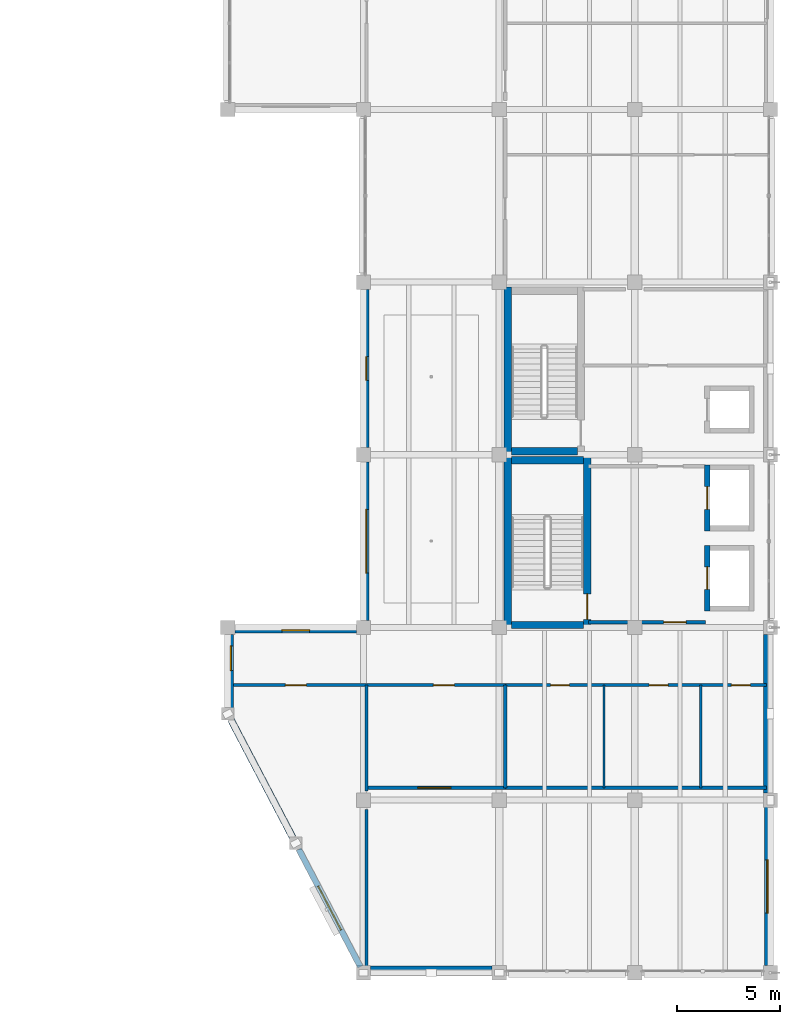
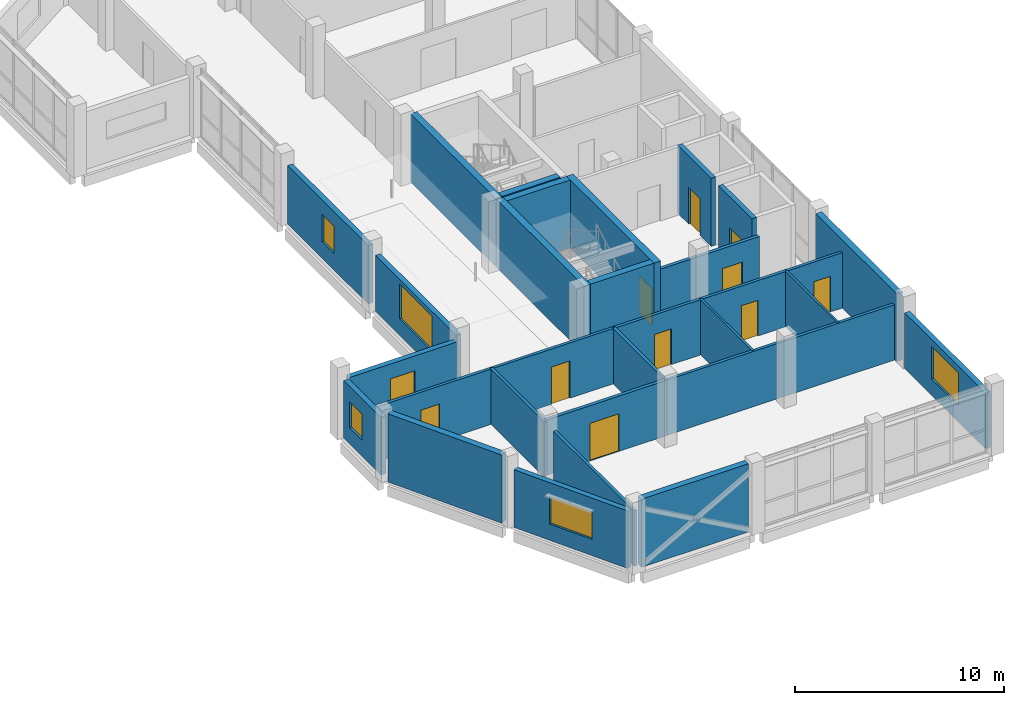
# One storey, part 38 of 47: 27 walls, 10 doors, 6 windows, 16 openings.
"""IFC4 building model written with IfcOpenShell, lengths in metres."""

from ifc_helpers import new_model, si_unit, direction, frame, frame_2d, origin, place, context, subcontext, project, spatial, rectangle, extrude, material, layer, layer_set, type_object, element, fill, save


model = new_model("IFC4")

# Units and contexts
model_context = context("Model", 3, precision=1e-05, world=origin(), true_north=direction((0.0, 1.0)))
body_context = subcontext(model_context, "Body", "Model", "MODEL_VIEW")
ifc_project = project(units=[si_unit("LENGTHUNIT", "METRE"), si_unit("AREAUNIT", "SQUARE_METRE"), si_unit("VOLUMEUNIT", "CUBIC_METRE"), si_unit("PLANEANGLEUNIT", "RADIAN"), si_unit("MASSUNIT", "GRAM", prefix="KILO")], contexts=[model_context])

# Site, building, storey
site_placement = place(None, origin())
site = spatial("IfcSite", under=ifc_project, at=site_placement, CompositionType="ELEMENT")
building_placement = place(site_placement, origin())
building = spatial("IfcBuilding", under=site, at=building_placement, Name="Qaldarim Faculty of Natural and Applied Sciences", CompositionType="ELEMENT")
storey_placement = place(building_placement, frame((0.0, 0.0, 22.800048828125)))
storey = spatial("IfcBuildingStorey", under=building, at=storey_placement, Name="L05", CompositionType="ELEMENT", Elevation=22.800048828125)

# Walls
ifc_material_1 = material(Name="Painted gypsum partition board")
ifc_layer_1 = layer(ifc_material_1, 0.1201171875)
ifc_layer_set_1 = layer_set([ifc_layer_1], Name="Painted gypsum partition board")
wall_type_1 = type_object("IfcWallType", Name="AcousticPartition-120", PredefinedType="PARTITIONING", material=ifc_layer_set_1)
for number, where, z_axis, x_axis, name in (
    (1, (170.10009765625, 9.0, 0.0), (0.0, 0.0, 1.0), (0.0, 1.0, 0.0), "Interior partition PRT-L05-V5-WCD1"),
    (2, (174.800048828125, 9.0, 0.0), (0.0, 0.0, 1.0), (0.0, 1.0, 0.0), "Interior partition PRT-L05-V5-WCD2"),
):
    element("IfcWall", number, at=place(storey_placement, frame(where, z_axis=z_axis, x_axis=x_axis)), inside=storey, type_object=wall_type_1, Name=name, PredefinedType="PARTITIONING", context=body_context, shape_type="SweptSolid", body=[
        extrude(rectangle(XDim=5.0, YDim=0.1201171875, at=frame_2d((2.5, 0.0))), origin(), (0.0, 0.0, 1.0), 3.22998046875),
    ])
ifc_material_2 = material(Name="Concrete C50/60", Category="concrete")
ifc_layer_2 = layer(ifc_material_2, 0.360107421875)
ifc_layer_set_2 = layer_set([ifc_layer_2], Name="Concrete C50/60")
wall_type_2 = type_object("IfcWallType", Name="CoreShearWall-360", PredefinedType="SHEAR", material=ifc_layer_set_2)
wall_1_placement = place(storey_placement, frame((165.419921875, 16.739990234375, 0.0), z_axis=(0.0, 0.0, 1.0), x_axis=(0.0, 1.0, 0.0)))
element("IfcWall", 3, at=wall_1_placement, inside=storey, type_object=wall_type_2, Name="Core stair ST-A1 west shear wall L05", PredefinedType="SHEAR", context=body_context, shape_type="SweptSolid", body=[
    extrude(rectangle(XDim=8.3701171875, YDim=0.360107421875, at=frame_2d((4.18505859375, 0.0))), origin(), (0.0, 0.0, 1.0), 3.97998046875),
])

# Wall, opening, door
wall_2_placement = place(storey_placement, frame((169.280029296875, 16.739990234375, 0.0), z_axis=(0.0, 0.0, 1.0), x_axis=(0.0, 1.0, 0.0)))
wall_2 = element("IfcWall", 4, at=wall_2_placement, inside=storey, type_object=wall_type_2, Name="Core stair ST-A1 east shear wall L05", PredefinedType="SHEAR", context=body_context, shape_type="SweptSolid", body=[
    extrude(rectangle(XDim=8.3701171875, YDim=0.360107421875, at=frame_2d((4.18505859375, 0.0))), origin(), (0.0, 0.0, 1.0), 3.97998046875),
])
opening_1_placement = place(wall_2_placement, frame((0.449951171875, 0.0, 0.0)))
opening_1 = element("IfcOpeningElement", 5, at=opening_1_placement, cuts=wall_2, Name="Opening ID04", PredefinedType="OPENING", context=body_context, shape_type="SweptSolid", body=[
    extrude(rectangle(XDim=1.25, YDim=2.14990234375, at=frame_2d((0.625, 1.074951171875))), frame((0.0, 0.18994140625, 0.0), z_axis=(0.0, -1.0, 0.0), x_axis=(1.0, 0.0, 0.0)), (0.0, 0.0, 1.0), 0.380126953125),
])
ifc_material_3 = material(Name="Architectural stainless steel 316", Category="steel")
door_type_1 = type_object("IfcDoorType", Name="StairEnclosureFireDoor-1250x2150", OperationType="NOTDEFINED", PredefinedType="DOOR", material=ifc_material_3)
door_1_placement = place(opening_1_placement, origin())
door_1 = element("IfcDoor", 6, at=door_1_placement, inside=storey, type_object=door_type_1, Name="Protected stair ST-A1 fire door D-L05-507", OperationType="SINGLE_SWING_LEFT", OverallHeight=2.14990234375, OverallWidth=1.25, PredefinedType="DOOR", context=body_context, shape_type="SweptSolid", body=[
    extrude(rectangle(XDim=1.25, YDim=2.14990234375, at=frame_2d((0.625, 1.074951171875))), frame((0.0, 0.02490234375, 0.0), z_axis=(0.0, -1.0, 0.0), x_axis=(1.0, 0.0, 0.0)), (0.0, 0.0, 1.0), 0.050048828125),
])
fill(opening_1, door_1)

# Walls
for number, where, z_axis, x_axis, name in (
    (7, (165.60009765625, 24.929931640625, 0.0), (0.0, 0.0, 1.0), (1.0, 0.0, 0.0), "Core stair ST-A1 north shear wall L05"),
    (8, (165.60009765625, 16.919921875, 0.0), (0.0, 0.0, 1.0), (1.0, 0.0, 0.0), "Core stair ST-A1 south shear wall L05"),
):
    element("IfcWall", number, at=place(storey_placement, frame(where, z_axis=z_axis, x_axis=x_axis)), inside=storey, type_object=wall_type_2, Name=name, PredefinedType="SHEAR", context=body_context, shape_type="SweptSolid", body=[
        extrude(rectangle(XDim=3.5, YDim=0.360107421875, at=frame_2d((1.75, 0.0))), origin(), (0.0, 0.0, 1.0), 3.97998046875),
    ])
wall_3_placement = place(storey_placement, frame((165.419921875, 25.18994140625, 0.0), z_axis=(0.0, 0.0, 1.0), x_axis=(0.0, 1.0, 0.0)))
element("IfcWall", 9, at=wall_3_placement, inside=storey, type_object=wall_type_2, Name="Core stair ST-A2 west shear wall L05", PredefinedType="SHEAR", context=body_context, shape_type="SweptSolid", body=[
    extrude(rectangle(XDim=8.170166015625, YDim=0.360107421875, at=frame_2d((4.0849609375, 0.0))), origin(), (0.0, 0.0, 1.0), 3.97998046875),
])
wall_4_placement = place(storey_placement, frame((165.60009765625, 25.3701171875, 0.0), z_axis=(0.0, 0.0, 1.0), x_axis=(1.0, 0.0, 0.0)))
element("IfcWall", 10, at=wall_4_placement, inside=storey, type_object=wall_type_2, Name="Core stair ST-A2 south shear wall L05", PredefinedType="SHEAR", context=body_context, shape_type="SweptSolid", body=[
    extrude(rectangle(XDim=3.199951171875, YDim=0.360107421875, at=frame_2d((1.60009765625, 0.0))), origin(), (0.0, 0.0, 1.0), 3.97998046875),
])

# Wall, opening, window
ifc_material_4 = material(Name="Precast concrete C40/50", Category="concrete")
ifc_layer_3 = layer(ifc_material_4, 0.280029296875)
ifc_layer_set_3 = layer_set([ifc_layer_3], Name="Precast concrete C40/50")
wall_type_3 = type_object("IfcWallType", Name="ExteriorSpandrelWall-280", PredefinedType="SOLIDWALL", material=ifc_layer_set_3)
wall_5_placement = place(storey_placement, frame((158.054931640625, 16.659912109375, 0.0), z_axis=(0.0, 0.0, 1.0), x_axis=(-1.0, 0.0, 0.0)))
wall_5 = element("IfcWall", 11, at=wall_5_placement, inside=storey, type_object=wall_type_3, Name="Exterior wall EW02 L05 N X24Y02", PredefinedType="SOLIDWALL", context=body_context, shape_type="SweptSolid", body=[
    extrude(rectangle(XDim=5.909912109375, YDim=0.280029296875, at=frame_2d((2.955078125, 0.0))), origin(), (0.0, 0.0, 1.0), 3.364990234375),
])
opening_2_placement = place(wall_5_placement, frame((2.280029296875, 0.0, 0.949951171875)))
opening_2 = element("IfcOpeningElement", 12, at=opening_2_placement, cuts=wall_5, Name="Opening WN09", PredefinedType="OPENING", context=body_context, shape_type="SweptSolid", body=[
    extrude(rectangle(XDim=1.35009765625, YDim=1.550048828125, at=frame_2d((0.675048828125, 0.77490234375))), frame((0.0, 0.14990234375, 0.0), z_axis=(0.0, -1.0, 0.0), x_axis=(1.0, 0.0, 0.0)), (0.0, 0.0, 1.0), 0.300048828125),
])
ifc_material_5 = material(Name="Insulated low-e double glazing", Category="glass")
window_type_1 = type_object("IfcWindowType", Name="LabWindow-1350x1550", PartitioningType="SINGLE_PANEL", PredefinedType="WINDOW", material=ifc_material_5)
window_1_placement = place(opening_2_placement, origin())
window_1 = element("IfcWindow", 13, at=window_1_placement, inside=storey, type_object=window_type_1, Name="Facade window WN09 L05 N X24Y02", OverallHeight=1.550048828125, OverallWidth=1.35009765625, PartitioningType="SINGLE_PANEL", PredefinedType="WINDOW", context=body_context, shape_type="SweptSolid", body=[
    extrude(rectangle(XDim=1.35009765625, YDim=1.550048828125, at=frame_2d((0.675048828125, 0.77490234375))), frame((0.0, 0.030029296875, 0.0), z_axis=(0.0, -1.0, 0.0), x_axis=(1.0, 0.0, 0.0)), (0.0, 0.0, 1.0), 0.06005859375),
])
fill(opening_2, window_1)

wall_6_placement = place(storey_placement, frame((158.5400390625, 24.85498046875, 0.0), z_axis=(0.0, 0.0, 1.0), x_axis=(0.0, -1.0, 0.0)))
wall_6 = element("IfcWall", 14, at=wall_6_placement, inside=storey, type_object=wall_type_3, Name="Exterior wall EW02 L05 W X25Y03", PredefinedType="SOLIDWALL", context=body_context, shape_type="SweptSolid", body=[
    extrude(rectangle(XDim=7.7099609375, YDim=0.280029296875, at=frame_2d((3.85498046875, 0.0))), origin(), (0.0, 0.0, 1.0), 3.264892578125),
])
opening_3_placement = place(wall_6_placement, frame((2.304931640625, 0.0, 0.949951171875)))
opening_3 = element("IfcOpeningElement", 15, at=opening_3_placement, cuts=wall_6, Name="Opening WN30", PredefinedType="OPENING", context=body_context, shape_type="SweptSolid", body=[
    extrude(rectangle(XDim=3.10009765625, YDim=2.050048828125, at=frame_2d((1.550048828125, 1.02490234375))), frame((0.0, 0.14990234375, 0.0), z_axis=(0.0, -1.0, 0.0), x_axis=(1.0, 0.0, 0.0)), (0.0, 0.0, 1.0), 0.300048828125),
])
window_type_2 = type_object("IfcWindowType", Name="GalleryWindow-3100x2050", PartitioningType="TRIPLE_PANEL_VERTICAL", PredefinedType="WINDOW", material=ifc_material_5)
window_2_placement = place(opening_3_placement, origin())
window_2 = element("IfcWindow", 16, at=window_2_placement, inside=storey, type_object=window_type_2, Name="Facade window WN30 L05 W X25Y03", OverallHeight=2.050048828125, OverallWidth=3.10009765625, PartitioningType="SINGLE_PANEL", PredefinedType="WINDOW", context=body_context, shape_type="SweptSolid", body=[
    extrude(rectangle(XDim=3.10009765625, YDim=2.050048828125, at=frame_2d((1.550048828125, 1.02490234375))), frame((0.0, 0.030029296875, 0.0), z_axis=(0.0, -1.0, 0.0), x_axis=(1.0, 0.0, 0.0)), (0.0, 0.0, 1.0), 0.06005859375),
])
fill(opening_3, window_2)

wall_7_placement = place(storey_placement, frame((158.5400390625, 33.2548828125, 0.0), z_axis=(0.0, 0.0, 1.0), x_axis=(0.0, -1.0, 0.0)))
wall_7 = element("IfcWall", 17, at=wall_7_placement, inside=storey, type_object=wall_type_3, Name="Exterior wall EW02 L05 W X25Y04", PredefinedType="SOLIDWALL", context=body_context, shape_type="SweptSolid", body=[
    extrude(rectangle(XDim=7.7099609375, YDim=0.280029296875, at=frame_2d((3.85498046875, 0.0))), origin(), (0.0, 0.0, 1.0), 3.4150390625),
])
opening_4_placement = place(wall_7_placement, frame((3.280029296875, 0.0, 0.949951171875)))
opening_4 = element("IfcOpeningElement", 18, at=opening_4_placement, cuts=wall_7, Name="Opening WN31", PredefinedType="OPENING", context=body_context, shape_type="SweptSolid", body=[
    extrude(rectangle(XDim=1.14990234375, YDim=1.60009765625, at=frame_2d((0.574951171875, 0.800048828125))), frame((0.0, 0.14990234375, 0.0), z_axis=(0.0, -1.0, 0.0), x_axis=(1.0, 0.0, 0.0)), (0.0, 0.0, 1.0), 0.300048828125),
])
window_type_3 = type_object("IfcWindowType", Name="SeminarWindow-1150x1600", PartitioningType="SINGLE_PANEL", PredefinedType="WINDOW", material=ifc_material_5)
window_3_placement = place(opening_4_placement, origin())
window_3 = element("IfcWindow", 19, at=window_3_placement, inside=storey, type_object=window_type_3, Name="Facade window WN31 L05 W X25Y04", OverallHeight=1.60009765625, OverallWidth=1.14990234375, PartitioningType="SINGLE_PANEL", PredefinedType="WINDOW", context=body_context, shape_type="SweptSolid", body=[
    extrude(rectangle(XDim=1.14990234375, YDim=1.60009765625, at=frame_2d((0.574951171875, 0.800048828125))), frame((0.0, 0.030029296875, 0.0), z_axis=(0.0, -1.0, 0.0), x_axis=(1.0, 0.0, 0.0)), (0.0, 0.0, 1.0), 0.06005859375),
])
fill(opening_4, window_3)

wall_8_placement = place(storey_placement, frame((178.06005859375, 0.344970703125, 0.0), z_axis=(0.0, 0.0, 1.0), x_axis=(0.0, 1.0, 0.0)))
wall_8 = element("IfcWall", 20, at=wall_8_placement, inside=storey, type_object=wall_type_3, Name="Exterior wall EW02 L05 E X27Y01", PredefinedType="SOLIDWALL", context=body_context, shape_type="SweptSolid", body=[
    extrude(rectangle(XDim=7.7099609375, YDim=0.280029296875, at=frame_2d((3.85498046875, 0.0))), origin(), (0.0, 0.0, 1.0), 3.264892578125),
])
opening_5_placement = place(wall_8_placement, frame((2.554931640625, 0.0, 0.949951171875)))
opening_5 = element("IfcOpeningElement", 21, at=opening_5_placement, cuts=wall_8, Name="Opening WN22", PredefinedType="OPENING", context=body_context, shape_type="SweptSolid", body=[
    extrude(rectangle(XDim=2.60009765625, YDim=1.89990234375, at=frame_2d((1.300048828125, 0.949951171875))), frame((0.0, 0.14990234375, 0.0), z_axis=(0.0, -1.0, 0.0), x_axis=(1.0, 0.0, 0.0)), (0.0, 0.0, 1.0), 0.300048828125),
])
window_type_4 = type_object("IfcWindowType", Name="StudyWindow-2600x1900", PartitioningType="TRIPLE_PANEL_VERTICAL", PredefinedType="WINDOW", material=ifc_material_5)
window_4_placement = place(opening_5_placement, origin())
window_4 = element("IfcWindow", 22, at=window_4_placement, inside=storey, type_object=window_type_4, Name="Facade window WN22 L05 E X27Y01", OverallHeight=1.89990234375, OverallWidth=2.60009765625, PartitioningType="SINGLE_PANEL", PredefinedType="WINDOW", context=body_context, shape_type="SweptSolid", body=[
    extrude(rectangle(XDim=2.60009765625, YDim=1.89990234375, at=frame_2d((1.300048828125, 0.949951171875))), frame((0.0, 0.030029296875, 0.0), z_axis=(0.0, -1.0, 0.0), x_axis=(1.0, 0.0, 0.0)), (0.0, 0.0, 1.0), 0.06005859375),
])
fill(opening_5, window_4)

wall_9_placement = place(storey_placement, frame((151.93994140625, 16.455078125, 0.0), z_axis=(0.0, 0.0, 1.0), x_axis=(0.0, -1.0, 0.0)))
wall_9 = element("IfcWall", 23, at=wall_9_placement, inside=storey, type_object=wall_type_3, Name="Oblique SW chamfer return facade wall L05", PredefinedType="SOLIDWALL", context=body_context, shape_type="SweptSolid", body=[
    extrude(rectangle(XDim=3.56005859375, YDim=0.280029296875, at=frame_2d((1.780029296875, 0.0))), origin(), (0.0, 0.0, 1.0), 3.364990234375),
])
opening_6_placement = place(wall_9_placement, frame((0.550048828125, 0.0, 0.949951171875)))
opening_6 = element("IfcOpeningElement", 24, at=opening_6_placement, cuts=wall_9, Name="Opening WN01", PredefinedType="OPENING", context=body_context, shape_type="SweptSolid", body=[
    extrude(rectangle(XDim=1.199951171875, YDim=1.5, at=frame_2d((0.60009765625, 0.75))), frame((0.0, 0.14990234375, 0.0), z_axis=(0.0, -1.0, 0.0), x_axis=(1.0, 0.0, 0.0)), (0.0, 0.0, 1.0), 0.300048828125),
])
window_type_5 = type_object("IfcWindowType", Name="Window-1200x1500", PartitioningType="SINGLE_PANEL", PredefinedType="WINDOW", material=ifc_material_5)
window_5_placement = place(opening_6_placement, origin())
window_5 = element("IfcWindow", 25, at=window_5_placement, inside=storey, type_object=window_type_5, Name="Oblique SW return window L05", OverallHeight=1.5, OverallWidth=1.199951171875, PartitioningType="SINGLE_PANEL", PredefinedType="WINDOW", context=body_context, shape_type="SweptSolid", body=[
    extrude(rectangle(XDim=1.199951171875, YDim=1.5, at=frame_2d((0.60009765625, 0.75))), frame((0.0, 0.030029296875, 0.0), z_axis=(0.0, -1.0, 0.0), x_axis=(1.0, 0.0, 0.0)), (0.0, 0.0, 1.0), 0.06005859375),
])
fill(opening_6, window_5)

wall_10_placement = place(storey_placement, frame((155.25, 6.010009765625, 0.0), z_axis=(0.0, 0.0, 1.0), x_axis=(0.464471613901, -0.885588007981, 0.0)))
wall_10 = element("IfcWall", 26, at=wall_10_placement, inside=storey, type_object=wall_type_3, Name="Oblique SW chamfer fenestrated wall L05 2", PredefinedType="SOLIDWALL", context=body_context, shape_type="SweptSolid", body=[
    extrude(rectangle(XDim=6.458984375, YDim=0.280029296875, at=frame_2d((3.2294921875, 0.0))), origin(), (0.0, 0.0, 1.0), 3.364990234375),
])
opening_7_placement = place(wall_10_placement, frame((2.030029296875, 0.0, 0.949951171875)))
opening_7 = element("IfcOpeningElement", 27, at=opening_7_placement, cuts=wall_10, Name="Opening WN03", PredefinedType="OPENING", context=body_context, shape_type="SweptSolid", body=[
    extrude(rectangle(XDim=2.39990234375, YDim=1.60009765625, at=frame_2d((1.199951171875, 0.800048828125))), frame((0.0, 0.14990234375, 0.0), z_axis=(0.0, -1.0, 0.0), x_axis=(1.0, 0.0, 0.0)), (0.0, 0.0, 1.0), 0.300048828125),
])
window_type_6 = type_object("IfcWindowType", Name="Window-2400x1600", PartitioningType="TRIPLE_PANEL_VERTICAL", PredefinedType="WINDOW", material=ifc_material_5)
window_6_placement = place(opening_7_placement, origin())
window_6 = element("IfcWindow", 28, at=window_6_placement, inside=storey, type_object=window_type_6, Name="Oblique SW chamfer window L05 2", OverallHeight=1.60009765625, OverallWidth=2.39990234375, PartitioningType="SINGLE_PANEL", PredefinedType="WINDOW", context=body_context, shape_type="SweptSolid", body=[
    extrude(rectangle(XDim=2.39990234375, YDim=1.60009765625, at=frame_2d((1.199951171875, 0.800048828125))), frame((0.0, 0.030029296875, 0.0), z_axis=(0.0, -1.0, 0.0), x_axis=(1.0, 0.0, 0.0)), (0.0, 0.0, 1.0), 0.06005859375),
])
fill(opening_7, window_6)

# Walls
ifc_layer_4 = layer(ifc_material_2, 0.340087890625)
ifc_layer_set_4 = layer_set([ifc_layer_4], Name="Concrete C50/60")
wall_type_4 = type_object("IfcWallType", Name="ExteriorStairShearWall-340", PredefinedType="SHEAR", material=ifc_layer_set_4)
wall_11_placement = place(storey_placement, frame((158.7451171875, 0.169921875, 0.0), z_axis=(0.0, 0.0, 1.0), x_axis=(1.0, 0.0, 0.0)))
element("IfcWall", 29, at=wall_11_placement, inside=storey, type_object=wall_type_4, Name="Exterior wall EW05 L05 S X25Y01", PredefinedType="SHEAR", context=body_context, shape_type="SweptSolid", body=[
    extrude(rectangle(XDim=5.909912109375, YDim=0.340087890625, at=frame_2d((2.955078125, 0.0))), origin(), (0.0, 0.0, 1.0), 3.97998046875),
])
wall_12_placement = place(storey_placement, frame((178.030029296875, 8.7451171875, 0.0), z_axis=(0.0, 0.0, 1.0), x_axis=(0.0, 1.0, 0.0)))
element("IfcWall", 30, at=wall_12_placement, inside=storey, type_object=wall_type_4, Name="Exterior wall EW05 L05 E X27Y02", PredefinedType="SHEAR", context=body_context, shape_type="SweptSolid", body=[
    extrude(rectangle(XDim=7.7099609375, YDim=0.340087890625, at=frame_2d((3.85498046875, 0.0))), origin(), (0.0, 0.0, 1.0), 3.97998046875),
])
wall_13_placement = place(storey_placement, frame((151.949951171875, 12.31005859375, 0.0), z_axis=(0.0, 0.0, 1.0), x_axis=(0.464471613901, -0.885588007981, 0.0)))
element("IfcWall", 31, at=wall_13_placement, inside=storey, type_object=wall_type_4, Name="Oblique SW chamfer braced wall L05 1", PredefinedType="SHEAR", context=body_context, shape_type="SweptSolid", body=[
    extrude(rectangle(XDim=6.458984375, YDim=0.340087890625, at=frame_2d((3.2294921875, 0.0))), origin(), (0.0, 0.0, 1.0), 3.97998046875),
])

# Wall, openings, doors
ifc_material_6 = material(Name="Concrete C40/50", Category="concrete")
ifc_layer_5 = layer(ifc_material_6, 0.159912109375)
ifc_layer_set_5 = layer_set([ifc_layer_5], Name="Concrete C40/50")
wall_type_5 = type_object("IfcWallType", Name="FireCorridorWall-160", PredefinedType="PARTITIONING", material=ifc_layer_set_5)
wall_14_placement = place(storey_placement, frame((165.300048828125, 14.0, 0.0), z_axis=(0.0, 0.0, 1.0), x_axis=(1.0, 0.0, 0.0)))
wall_14 = element("IfcWall", 32, at=wall_14_placement, inside=storey, type_object=wall_type_5, Name="Interior partition PRT-L05-V5-WCN", PredefinedType="PARTITIONING", context=body_context, shape_type="SweptSolid", body=[
    extrude(rectangle(XDim=12.699951171875, YDim=0.159912109375, at=frame_2d((6.35009765625, 0.0))), origin(), (0.0, 0.0, 1.0), 3.22998046875),
])
opening_8_placement = place(wall_14_placement, frame((2.199951171875, 0.0, 0.0)))
opening_8 = element("IfcOpeningElement", 33, at=opening_8_placement, cuts=wall_14, Name="Opening ID14", PredefinedType="OPENING", context=body_context, shape_type="SweptSolid", body=[
    extrude(rectangle(XDim=0.919921875, YDim=2.080078125, at=frame_2d((0.4599609375, 1.0400390625))), frame((0.0, 0.08984375, 0.0), z_axis=(0.0, -1.0, 0.0), x_axis=(1.0, 0.0, 0.0)), (0.0, 0.0, 1.0), 0.179931640625),
])
opening_9_placement = place(wall_14_placement, frame((7.0, 0.0, 0.0)))
opening_9 = element("IfcOpeningElement", 34, at=opening_9_placement, cuts=wall_14, Name="Opening ID14", PredefinedType="OPENING", context=body_context, shape_type="SweptSolid", body=[
    extrude(rectangle(XDim=0.919921875, YDim=2.080078125, at=frame_2d((0.4599609375, 1.0400390625))), frame((0.0, 0.08984375, 0.0), z_axis=(0.0, -1.0, 0.0), x_axis=(1.0, 0.0, 0.0)), (0.0, 0.0, 1.0), 0.179931640625),
])
opening_10_placement = place(wall_14_placement, frame((11.0, 0.0, 0.0)))
opening_10 = element("IfcOpeningElement", 35, at=opening_10_placement, cuts=wall_14, Name="Opening ID14", PredefinedType="OPENING", context=body_context, shape_type="SweptSolid", body=[
    extrude(rectangle(XDim=0.919921875, YDim=2.080078125, at=frame_2d((0.4599609375, 1.0400390625))), frame((0.0, 0.08984375, 0.0), z_axis=(0.0, -1.0, 0.0), x_axis=(1.0, 0.0, 0.0)), (0.0, 0.0, 1.0), 0.179931640625),
])
ifc_material_7 = material(Name="Oak hardwood", Category="wood")
door_type_2 = type_object("IfcDoorType", Name="WashroomDoor-920x2080", OperationType="NOTDEFINED", PredefinedType="DOOR", material=ifc_material_7)
door_2_placement = place(opening_8_placement, origin())
door_2 = element("IfcDoor", 36, at=door_2_placement, inside=storey, type_object=door_type_2, Name="Interior door D-L05-119", OperationType="SINGLE_SWING_LEFT", OverallHeight=2.080078125, OverallWidth=0.919921875, PredefinedType="DOOR", context=body_context, shape_type="SweptSolid", body=[
    extrude(rectangle(XDim=0.919921875, YDim=2.080078125, at=frame_2d((0.4599609375, 1.0400390625))), frame((0.0, 0.02490234375, 0.0), z_axis=(0.0, -1.0, 0.0), x_axis=(1.0, 0.0, 0.0)), (0.0, 0.0, 1.0), 0.050048828125),
])
fill(opening_8, door_2)
door_3_placement = place(opening_9_placement, origin())
door_3 = element("IfcDoor", 37, at=door_3_placement, inside=storey, type_object=door_type_2, Name="Interior door D-L05-120", OperationType="SINGLE_SWING_RIGHT", OverallHeight=2.080078125, OverallWidth=0.919921875, PredefinedType="DOOR", context=body_context, shape_type="SweptSolid", body=[
    extrude(rectangle(XDim=0.919921875, YDim=2.080078125, at=frame_2d((0.4599609375, 1.0400390625))), frame((0.0, 0.02490234375, 0.0), z_axis=(0.0, -1.0, 0.0), x_axis=(1.0, 0.0, 0.0)), (0.0, 0.0, 1.0), 0.050048828125),
])
fill(opening_9, door_3)
door_4_placement = place(opening_10_placement, origin())
door_4 = element("IfcDoor", 38, at=door_4_placement, inside=storey, type_object=door_type_2, Name="Interior door D-L05-121", OperationType="SINGLE_SWING_LEFT", OverallHeight=2.080078125, OverallWidth=0.919921875, PredefinedType="DOOR", context=body_context, shape_type="SweptSolid", body=[
    extrude(rectangle(XDim=0.919921875, YDim=2.080078125, at=frame_2d((0.4599609375, 1.0400390625))), frame((0.0, 0.02490234375, 0.0), z_axis=(0.0, -1.0, 0.0), x_axis=(1.0, 0.0, 0.0)), (0.0, 0.0, 1.0), 0.050048828125),
])
fill(opening_10, door_4)

# Walls
wall_15_placement = place(storey_placement, frame((165.300048828125, 9.0, 0.0), z_axis=(0.0, 0.0, 1.0), x_axis=(1.0, 0.0, 0.0)))
element("IfcWall", 39, at=wall_15_placement, inside=storey, type_object=wall_type_5, Name="Interior partition PRT-L05-V5-WCS", PredefinedType="PARTITIONING", context=body_context, shape_type="SweptSolid", body=[
    extrude(rectangle(XDim=12.699951171875, YDim=0.159912109375, at=frame_2d((6.35009765625, 0.0))), origin(), (0.0, 0.0, 1.0), 3.22998046875),
])
wall_16_placement = place(storey_placement, frame((165.300048828125, 9.0, 0.0), z_axis=(0.0, 0.0, 1.0), x_axis=(0.0, 1.0, 0.0)))
element("IfcWall", 40, at=wall_16_placement, inside=storey, type_object=wall_type_5, Name="Interior partition PRT-L05-V5-WCW", PredefinedType="PARTITIONING", context=body_context, shape_type="SweptSolid", body=[
    extrude(rectangle(XDim=5.0, YDim=0.159912109375, at=frame_2d((2.5, 0.0))), origin(), (0.0, 0.0, 1.0), 3.22998046875),
])
wall_17_placement = place(storey_placement, frame((158.550048828125, 0.25, 0.0), z_axis=(0.0, 0.0, 1.0), x_axis=(0.0, 1.0, 0.0)))
element("IfcWall", 41, at=wall_17_placement, inside=storey, type_object=wall_type_5, Name="Interior partition PRT-L05-V5-SWSE-S1", PredefinedType="PARTITIONING", context=body_context, shape_type="SweptSolid", body=[
    extrude(rectangle(XDim=7.699951171875, YDim=0.159912109375, at=frame_2d((3.85009765625, 0.0))), origin(), (0.0, 0.0, 1.0), 3.22998046875),
])
wall_18_placement = place(storey_placement, frame((158.550048828125, 8.85009765625, 0.0), z_axis=(0.0, 0.0, 1.0), x_axis=(0.0, 1.0, 0.0)))
element("IfcWall", 42, at=wall_18_placement, inside=storey, type_object=wall_type_5, Name="Interior partition PRT-L05-V5-SWSE-S2", PredefinedType="PARTITIONING", context=body_context, shape_type="SweptSolid", body=[
    extrude(rectangle(XDim=5.14990234375, YDim=0.159912109375, at=frame_2d((2.574951171875, 0.0))), origin(), (0.0, 0.0, 1.0), 3.22998046875),
])

# Wall, openings, doors
wall_19_placement = place(storey_placement, frame((152.0, 14.0, 0.0), z_axis=(0.0, 0.0, 1.0), x_axis=(1.0, 0.0, 0.0)))
wall_19 = element("IfcWall", 43, at=wall_19_placement, inside=storey, type_object=wall_type_5, Name="Interior partition PRT-L05-V5-MIDN", PredefinedType="PARTITIONING", context=body_context, shape_type="SweptSolid", body=[
    extrude(rectangle(XDim=13.300048828125, YDim=0.159912109375, at=frame_2d((6.64990234375, 0.0))), origin(), (0.0, 0.0, 1.0), 3.22998046875),
])
opening_11_placement = place(wall_19_placement, frame((2.60009765625, 0.0, 0.0)))
opening_11 = element("IfcOpeningElement", 44, at=opening_11_placement, cuts=wall_19, Name="Opening ID16", PredefinedType="OPENING", context=body_context, shape_type="SweptSolid", body=[
    extrude(rectangle(XDim=1.02001953125, YDim=2.179931640625, at=frame_2d((0.510009765625, 1.08984375))), frame((0.0, 0.08984375, 0.0), z_axis=(0.0, -1.0, 0.0), x_axis=(1.0, 0.0, 0.0)), (0.0, 0.0, 1.0), 0.179931640625),
])
opening_12_placement = place(wall_19_placement, frame((9.800048828125, 0.0, 0.0)))
opening_12 = element("IfcOpeningElement", 45, at=opening_12_placement, cuts=wall_19, Name="Opening ID16", PredefinedType="OPENING", context=body_context, shape_type="SweptSolid", body=[
    extrude(rectangle(XDim=1.02001953125, YDim=2.179931640625, at=frame_2d((0.510009765625, 1.08984375))), frame((0.0, 0.08984375, 0.0), z_axis=(0.0, -1.0, 0.0), x_axis=(1.0, 0.0, 0.0)), (0.0, 0.0, 1.0), 0.179931640625),
])
door_type_3 = type_object("IfcDoorType", Name="StudyPodDoor-1020x2180", OperationType="NOTDEFINED", PredefinedType="DOOR", material=ifc_material_7)
door_5_placement = place(opening_11_placement, origin())
door_5 = element("IfcDoor", 46, at=door_5_placement, inside=storey, type_object=door_type_3, Name="Interior door D-L05-415", OperationType="SINGLE_SWING_LEFT", OverallHeight=2.179931640625, OverallWidth=1.02001953125, PredefinedType="DOOR", context=body_context, shape_type="SweptSolid", body=[
    extrude(rectangle(XDim=1.02001953125, YDim=2.179931640625, at=frame_2d((0.510009765625, 1.08984375))), frame((0.0, 0.02490234375, 0.0), z_axis=(0.0, -1.0, 0.0), x_axis=(1.0, 0.0, 0.0)), (0.0, 0.0, 1.0), 0.050048828125),
])
fill(opening_11, door_5)
door_6_placement = place(opening_12_placement, origin())
door_6 = element("IfcDoor", 47, at=door_6_placement, inside=storey, type_object=door_type_3, Name="Interior door D-L05-416", OperationType="SINGLE_SWING_RIGHT", OverallHeight=2.179931640625, OverallWidth=1.02001953125, PredefinedType="DOOR", context=body_context, shape_type="SweptSolid", body=[
    extrude(rectangle(XDim=1.02001953125, YDim=2.179931640625, at=frame_2d((0.510009765625, 1.08984375))), frame((0.0, 0.02490234375, 0.0), z_axis=(0.0, -1.0, 0.0), x_axis=(1.0, 0.0, 0.0)), (0.0, 0.0, 1.0), 0.050048828125),
])
fill(opening_12, door_6)

# Wall, opening, door
ifc_layer_6 = layer(ifc_material_6, 0.179931640625)
ifc_layer_set_6 = layer_set([ifc_layer_6], Name="Concrete C40/50")
wall_type_6 = type_object("IfcWallType", Name="LabFireCompartmentWall-180", PredefinedType="SOLIDWALL", material=ifc_layer_set_6)
wall_20_placement = place(storey_placement, frame((158.550048828125, 9.0, 0.0), z_axis=(0.0, 0.0, 1.0), x_axis=(1.0, 0.0, 0.0)))
wall_20 = element("IfcWall", 48, at=wall_20_placement, inside=storey, type_object=wall_type_6, Name="Interior partition PRT-L05-V5-BPHN", PredefinedType="SOLIDWALL", context=body_context, shape_type="SweptSolid", body=[
    extrude(rectangle(XDim=6.75, YDim=0.179931640625, at=frame_2d((3.375, 0.0))), origin(), (0.0, 0.0, 1.0), 3.22998046875),
])
opening_13_placement = place(wall_20_placement, frame((2.5, 0.0, 0.0)))
opening_13 = element("IfcOpeningElement", 49, at=opening_13_placement, cuts=wall_20, Name="Opening ID06", PredefinedType="OPENING", context=body_context, shape_type="SweptSolid", body=[
    extrude(rectangle(XDim=1.60009765625, YDim=2.199951171875, at=frame_2d((0.800048828125, 1.10009765625))), frame((0.0, 0.099853515625, 0.0), z_axis=(0.0, -1.0, 0.0), x_axis=(1.0, 0.0, 0.0)), (0.0, 0.0, 1.0), 0.199951171875),
])
door_type_4 = type_object("IfcDoorType", Name="LabEquipmentDoubleDoor-1600x2200", OperationType="NOTDEFINED", PredefinedType="DOOR", material=ifc_material_3)
door_7_placement = place(opening_13_placement, origin())
door_7 = element("IfcDoor", 50, at=door_7_placement, inside=storey, type_object=door_type_4, Name="Interior door D-L05-260", OperationType="DOUBLE_DOOR_SINGLE_SWING", OverallHeight=2.199951171875, OverallWidth=1.60009765625, PredefinedType="DOOR", context=body_context, shape_type="SweptSolid", body=[
    extrude(rectangle(XDim=1.60009765625, YDim=2.199951171875, at=frame_2d((0.800048828125, 1.10009765625))), frame((0.0, 0.02490234375, 0.0), z_axis=(0.0, -1.0, 0.0), x_axis=(1.0, 0.0, 0.0)), (0.0, 0.0, 1.0), 0.050048828125),
])
fill(opening_13, door_7)

wall_21_placement = place(storey_placement, frame((169.35009765625, 17.06005859375, 0.0), z_axis=(0.0, 0.0, 1.0), x_axis=(1.0, 0.0, 0.0)))
wall_21 = element("IfcWall", 51, at=wall_21_placement, inside=storey, type_object=wall_type_6, Name="Fire-fighting lobby south wall Core A L05", PredefinedType="SOLIDWALL", context=body_context, shape_type="SweptSolid", body=[
    extrude(rectangle(XDim=5.699951171875, YDim=0.179931640625, at=frame_2d((2.85009765625, 0.0))), origin(), (0.0, 0.0, 1.0), 3.31494140625),
])
opening_14_placement = place(wall_21_placement, frame((3.64990234375, 0.0, 0.0)))
opening_14 = element("IfcOpeningElement", 52, at=opening_14_placement, cuts=wall_21, Name="Opening ID03", PredefinedType="OPENING", context=body_context, shape_type="SweptSolid", body=[
    extrude(rectangle(XDim=1.10009765625, YDim=2.14990234375, at=frame_2d((0.550048828125, 1.074951171875))), frame((0.0, 0.099853515625, 0.0), z_axis=(0.0, -1.0, 0.0), x_axis=(1.0, 0.0, 0.0)), (0.0, 0.0, 1.0), 0.199951171875),
])
door_type_5 = type_object("IfcDoorType", Name="FireLobbyDoor-1100x2150", OperationType="NOTDEFINED", PredefinedType="DOOR", material=ifc_material_7)
door_8_placement = place(opening_14_placement, origin())
door_8 = element("IfcDoor", 53, at=door_8_placement, inside=storey, type_object=door_type_5, Name="Fire-fighting lobby corridor door Core A D-L05-609", OperationType="SINGLE_SWING_LEFT", OverallHeight=2.14990234375, OverallWidth=1.10009765625, PredefinedType="DOOR", context=body_context, shape_type="SweptSolid", body=[
    extrude(rectangle(XDim=1.10009765625, YDim=2.14990234375, at=frame_2d((0.550048828125, 1.074951171875))), frame((0.0, 0.02490234375, 0.0), z_axis=(0.0, -1.0, 0.0), x_axis=(1.0, 0.0, 0.0)), (0.0, 0.0, 1.0), 0.050048828125),
])
fill(opening_14, door_8)

ifc_layer_7 = layer(ifc_material_6, 0.25)
ifc_layer_set_7 = layer_set([ifc_layer_7], Name="Concrete C40/50")
wall_type_7 = type_object("IfcWallType", Name="LiftShaftWall-250", PredefinedType="SHEAR", material=ifc_layer_set_7)
wall_22_placement = place(storey_placement, frame((175.125, 17.60009765625, 0.0), z_axis=(0.0, 0.0, 1.0), x_axis=(0.0, 1.0, 0.0)))
wall_22 = element("IfcWall", 54, at=wall_22_placement, inside=storey, type_object=wall_type_7, Name="Lift LF-A1 front shaft wall L05", PredefinedType="SHEAR", context=body_context, shape_type="SweptSolid", body=[
    extrude(rectangle(XDim=3.199951171875, YDim=0.25, at=frame_2d((1.60009765625, 0.0))), origin(), (0.0, 0.0, 1.0), 3.97998046875),
])
opening_15_placement = place(wall_22_placement, frame((1.050048828125, 0.0, 0.0)))
opening_15 = element("IfcOpeningElement", 55, at=opening_15_placement, cuts=wall_22, Name="Opening LD01", PredefinedType="OPENING", context=body_context, shape_type="SweptSolid", body=[
    extrude(rectangle(XDim=1.10009765625, YDim=2.14990234375, at=frame_2d((0.550048828125, 1.074951171875))), frame((0.0, 0.135009765625, 0.0), z_axis=(0.0, -1.0, 0.0), x_axis=(1.0, 0.0, 0.0)), (0.0, 0.0, 1.0), 0.27001953125),
])
door_type_6 = type_object("IfcDoorType", Name="LiftLandingSlidingDoor-1100x2150", OperationType="NOTDEFINED", PredefinedType="DOOR", material=ifc_material_3)
door_9_placement = place(opening_15_placement, origin())
door_9 = element("IfcDoor", 56, at=door_9_placement, inside=storey, type_object=door_type_6, Name="Lift landing sliding door LF-A1 D-L05-563", OperationType="SLIDING_TO_LEFT", OverallHeight=2.14990234375, OverallWidth=1.10009765625, PredefinedType="DOOR", context=body_context, shape_type="SweptSolid", body=[
    extrude(rectangle(XDim=1.10009765625, YDim=2.14990234375, at=frame_2d((0.550048828125, 1.074951171875))), frame((0.0, 0.02490234375, 0.0), z_axis=(0.0, -1.0, 0.0), x_axis=(1.0, 0.0, 0.0)), (0.0, 0.0, 1.0), 0.050048828125),
])
fill(opening_15, door_9)

wall_23_placement = place(storey_placement, frame((175.125, 21.5, 0.0), z_axis=(0.0, 0.0, 1.0), x_axis=(0.0, 1.0, 0.0)))
wall_23 = element("IfcWall", 57, at=wall_23_placement, inside=storey, type_object=wall_type_7, Name="Lift LF-A2 front shaft wall L05", PredefinedType="SHEAR", context=body_context, shape_type="SweptSolid", body=[
    extrude(rectangle(XDim=3.199951171875, YDim=0.25, at=frame_2d((1.60009765625, 0.0))), origin(), (0.0, 0.0, 1.0), 3.97998046875),
])
opening_16_placement = place(wall_23_placement, frame((1.050048828125, 0.0, 0.0)))
opening_16 = element("IfcOpeningElement", 58, at=opening_16_placement, cuts=wall_23, Name="Opening LD01", PredefinedType="OPENING", context=body_context, shape_type="SweptSolid", body=[
    extrude(rectangle(XDim=1.10009765625, YDim=2.14990234375, at=frame_2d((0.550048828125, 1.074951171875))), frame((0.0, 0.135009765625, 0.0), z_axis=(0.0, -1.0, 0.0), x_axis=(1.0, 0.0, 0.0)), (0.0, 0.0, 1.0), 0.27001953125),
])
door_10_placement = place(opening_16_placement, origin())
door_10 = element("IfcDoor", 59, at=door_10_placement, inside=storey, type_object=door_type_6, Name="Lift landing sliding door LF-A2 D-L05-576", OperationType="SLIDING_TO_LEFT", OverallHeight=2.14990234375, OverallWidth=1.10009765625, PredefinedType="DOOR", context=body_context, shape_type="SweptSolid", body=[
    extrude(rectangle(XDim=1.10009765625, YDim=2.14990234375, at=frame_2d((0.550048828125, 1.074951171875))), frame((0.0, 0.02490234375, 0.0), z_axis=(0.0, -1.0, 0.0), x_axis=(1.0, 0.0, 0.0)), (0.0, 0.0, 1.0), 0.050048828125),
])
fill(opening_16, door_10)

save(model, "model.ifc")
